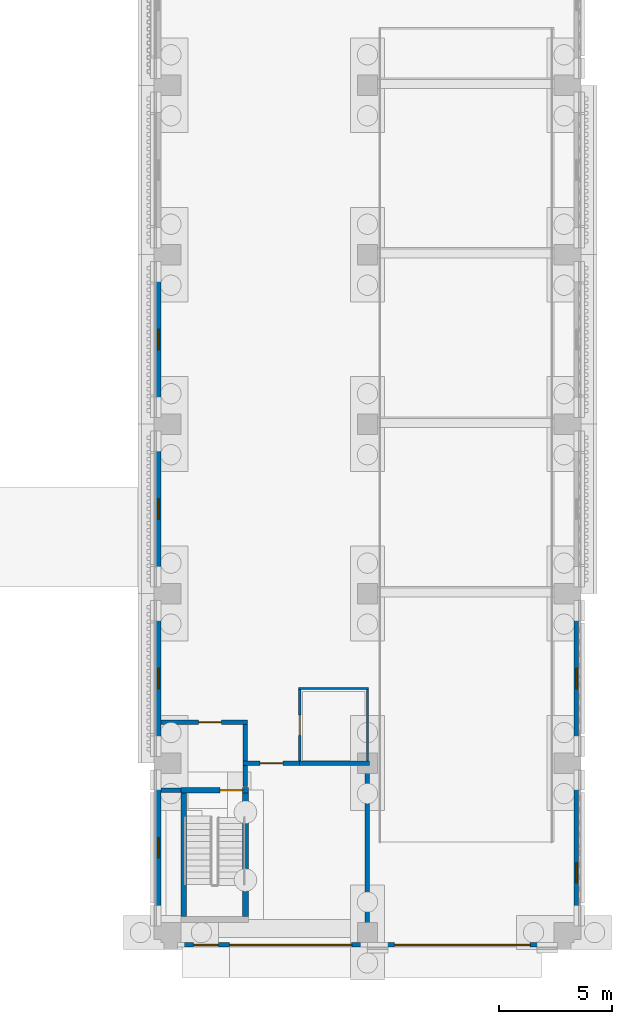
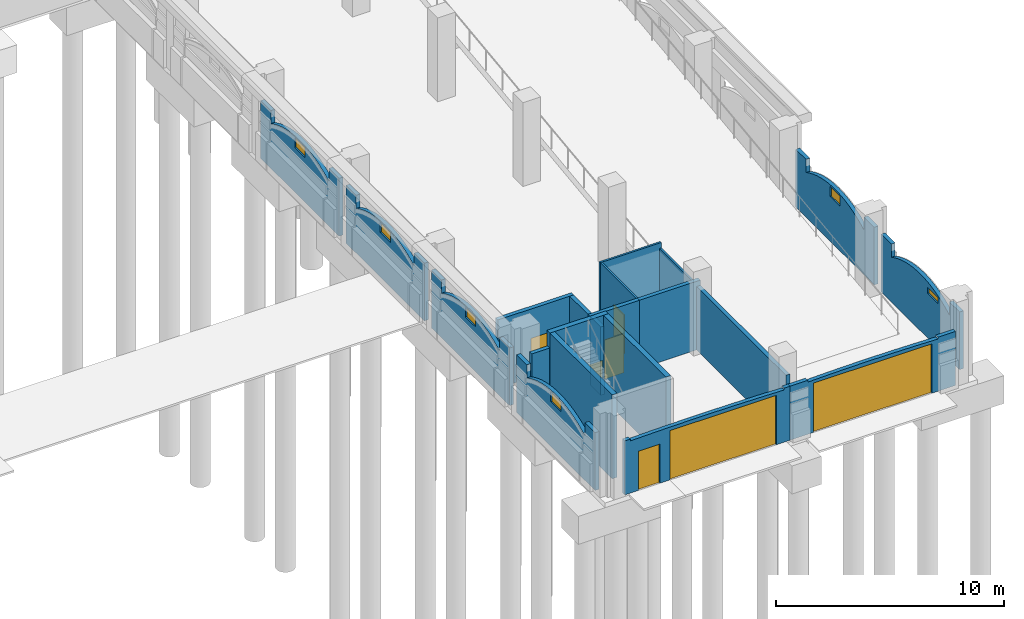
# One storey, part 41 of 99: 21 walls, 7 doors, 6 windows, 13 openings.
"""IFC4 building model written with IfcOpenShell, lengths in metres."""

from ifc_helpers import new_model, si_unit, direction, frame, frame_2d, origin, place, context, subcontext, project, spatial, polyline, rectangle, outline, extrude, material, layer, layer_set, type_object, element, fill, save


model = new_model("IFC4")

# Units and contexts
model_context = context("Model", 3, precision=1e-05, world=origin(), true_north=direction((0.0, 1.0)))
body_context = subcontext(model_context, "Body", "Model", "MODEL_VIEW")
ifc_project = project(units=[si_unit("LENGTHUNIT", "METRE"), si_unit("AREAUNIT", "SQUARE_METRE"), si_unit("VOLUMEUNIT", "CUBIC_METRE"), si_unit("PLANEANGLEUNIT", "RADIAN"), si_unit("MASSUNIT", "GRAM", prefix="KILO")], contexts=[model_context])

# Site, building, storey
site_placement = place(None, origin())
site = spatial("IfcSite", under=ifc_project, at=site_placement, CompositionType="ELEMENT")
building_placement = place(site_placement, origin())
building = spatial("IfcBuilding", under=site, at=building_placement, Name="Cour d'Honneur Mobility Palace", CompositionType="ELEMENT")
storey_placement = place(building_placement, origin())
storey = spatial("IfcBuildingStorey", under=building, at=storey_placement, Name="L00", CompositionType="ELEMENT", Elevation=0.0)

# Wall, opening, window
ifc_material_1 = material(Name="Concrete C40", Category="concrete")
ifc_layer_1 = layer(ifc_material_1, 0.199951171875)
ifc_layer_set_1 = layer_set([ifc_layer_1], Name="Concrete C40")
wall_type_1 = type_object("IfcWallType", Name="Arch infill panel", PredefinedType="SOLIDWALL", material=ifc_layer_set_1)
wall_1_placement = place(storey_placement, frame((144.35009765625, 29.699951171875, 0.0), z_axis=(0.0, 0.0, 1.0), x_axis=(0.0, -1.0, 0.0)))
wall_1 = element("IfcWall", 1, at=wall_1_placement, inside=storey, type_object=wall_type_1, Name="Arch infill panel IP-28", PredefinedType="SOLIDWALL", context=body_context, shape_type="SweptSolid", body=[
    extrude(outline(polyline([(0.0, 0.0), (6.89990234375, 0.0), (6.89990234375, 3.10009765625), (6.001953125, 3.10009765625), (6.0, 2.39990234375), (5.68115234375, 2.560302734375), (5.362548828125, 2.69482421875), (5.043701171875, 2.805908203125), (4.72509765625, 2.895263671875), (4.40625, 2.96337890625), (4.08740234375, 3.01171875), (3.768798828125, 3.04052734375), (3.449951171875, 3.050048828125), (3.13134765625, 3.04052734375), (2.8125, 3.01171875), (2.49365234375, 2.96337890625), (2.175048828125, 2.895263671875), (1.856201171875, 2.805908203125), (1.53759765625, 2.69482421875), (1.21875, 2.560302734375), (0.89990234375, 2.39990234375), (0.89794921875, 3.10009765625), (0.0, 3.10009765625), (0.0, 0.0)])), frame((0.0, 0.10009765625, 0.0), z_axis=(0.0, -1.0, 0.0), x_axis=(1.0, 0.0, 0.0)), (0.0, 0.0, 1.0), 0.199951171875),
])
opening_1_placement = place(wall_1_placement, frame((3.0, 0.0, 2.39990234375)))
opening_1 = element("IfcOpeningElement", 2, at=opening_1_placement, cuts=wall_1, Name="Opening WH-22", PredefinedType="OPENING", context=body_context, shape_type="SweptSolid", body=[
    extrude(rectangle(XDim=0.89990234375, YDim=0.531005859375, at=frame_2d((0.449951171875, 0.265625))), frame((0.0, 0.10986328125, 0.0), z_axis=(0.0, -1.0, 0.0), x_axis=(1.0, 0.0, 0.0)), (0.0, 0.0, 1.0), 0.219970703125),
])
ifc_material_2 = material(Name="Aluminium frame and glass", Category="aluminium")
window_type_1 = type_object("IfcWindowType", Name="High-level window 531", PartitioningType="SINGLE_PANEL", PredefinedType="WINDOW", material=ifc_material_2)
window_1_placement = place(opening_1_placement, origin())
window_1 = element("IfcWindow", 3, at=window_1_placement, inside=storey, type_object=window_type_1, Name="High-level window 531 WH-22", OverallHeight=0.531005859375, OverallWidth=0.89990234375, PartitioningType="SINGLE_PANEL", PredefinedType="WINDOW", context=body_context, shape_type="SweptSolid", body=[
    extrude(rectangle(XDim=0.89990234375, YDim=0.531005859375, at=frame_2d((0.449951171875, 0.265625))), frame((0.0, 0.030029296875, 0.0), z_axis=(0.0, -1.0, 0.0), x_axis=(1.0, 0.0, 0.0)), (0.0, 0.0, 1.0), 0.06005859375),
])
fill(opening_1, window_1)

wall_2_placement = place(storey_placement, frame((144.35009765625, 22.199951171875, 0.0), z_axis=(0.0, 0.0, 1.0), x_axis=(0.0, -1.0, 0.0)))
wall_2 = element("IfcWall", 4, at=wall_2_placement, inside=storey, type_object=wall_type_1, Name="Arch infill panel IP-29", PredefinedType="SOLIDWALL", context=body_context, shape_type="SweptSolid", body=[
    extrude(outline(polyline([(0.0, 0.0), (6.89990234375, 0.0), (6.89990234375, 3.10009765625), (6.001953125, 3.10009765625), (6.0, 2.39990234375), (5.68115234375, 2.560302734375), (5.362548828125, 2.69482421875), (5.043701171875, 2.805908203125), (4.72509765625, 2.895263671875), (4.40625, 2.96337890625), (4.08740234375, 3.01171875), (3.768798828125, 3.04052734375), (3.449951171875, 3.050048828125), (3.13134765625, 3.04052734375), (2.8125, 3.01171875), (2.49365234375, 2.96337890625), (2.175048828125, 2.895263671875), (1.856201171875, 2.805908203125), (1.53759765625, 2.69482421875), (1.21875, 2.560302734375), (0.89990234375, 2.39990234375), (0.89794921875, 3.10009765625), (0.0, 3.10009765625), (0.0, 0.0)])), frame((0.0, 0.10009765625, 0.0), z_axis=(0.0, -1.0, 0.0), x_axis=(1.0, 0.0, 0.0)), (0.0, 0.0, 1.0), 0.199951171875),
])
opening_2_placement = place(wall_2_placement, frame((3.0, 0.0, 2.39990234375)))
opening_2 = element("IfcOpeningElement", 5, at=opening_2_placement, cuts=wall_2, Name="Opening WH-23", PredefinedType="OPENING", context=body_context, shape_type="SweptSolid", body=[
    extrude(rectangle(XDim=0.89990234375, YDim=0.531005859375, at=frame_2d((0.449951171875, 0.265625))), frame((0.0, 0.10986328125, 0.0), z_axis=(0.0, -1.0, 0.0), x_axis=(1.0, 0.0, 0.0)), (0.0, 0.0, 1.0), 0.219970703125),
])
window_2_placement = place(opening_2_placement, origin())
window_2 = element("IfcWindow", 6, at=window_2_placement, inside=storey, type_object=window_type_1, Name="High-level window 531 WH-23", OverallHeight=0.531005859375, OverallWidth=0.89990234375, PartitioningType="SINGLE_PANEL", PredefinedType="WINDOW", context=body_context, shape_type="SweptSolid", body=[
    extrude(rectangle(XDim=0.89990234375, YDim=0.531005859375, at=frame_2d((0.449951171875, 0.265625))), frame((0.0, 0.030029296875, 0.0), z_axis=(0.0, -1.0, 0.0), x_axis=(1.0, 0.0, 0.0)), (0.0, 0.0, 1.0), 0.06005859375),
])
fill(opening_2, window_2)

wall_3_placement = place(storey_placement, frame((144.35009765625, 14.699951171875, 0.0), z_axis=(0.0, 0.0, 1.0), x_axis=(0.0, -1.0, 0.0)))
wall_3 = element("IfcWall", 7, at=wall_3_placement, inside=storey, type_object=wall_type_1, Name="Arch infill panel IP-30", PredefinedType="SOLIDWALL", context=body_context, shape_type="SweptSolid", body=[
    extrude(outline(polyline([(0.0, 0.0), (6.89990234375, 0.0), (6.89990234375, 3.10009765625), (6.001953125, 3.10009765625), (6.0, 2.39990234375), (5.68115234375, 2.560302734375), (5.362548828125, 2.69482421875), (5.043701171875, 2.805908203125), (4.72509765625, 2.895263671875), (4.40625, 2.96337890625), (4.08740234375, 3.01171875), (3.768798828125, 3.04052734375), (3.449951171875, 3.050048828125), (3.13134765625, 3.04052734375), (2.8125, 3.01171875), (2.49365234375, 2.96337890625), (2.175048828125, 2.895263671875), (1.856201171875, 2.805908203125), (1.53759765625, 2.69482421875), (1.21875, 2.560302734375), (0.89990234375, 2.39990234375), (0.89794921875, 3.10009765625), (0.0, 3.10009765625), (0.0, 0.0)])), frame((0.0, 0.10009765625, 0.0), z_axis=(0.0, -1.0, 0.0), x_axis=(1.0, 0.0, 0.0)), (0.0, 0.0, 1.0), 0.199951171875),
])
opening_3_placement = place(wall_3_placement, frame((3.0, 0.0, 2.39990234375)))
opening_3 = element("IfcOpeningElement", 8, at=opening_3_placement, cuts=wall_3, Name="Opening WH-24", PredefinedType="OPENING", context=body_context, shape_type="SweptSolid", body=[
    extrude(rectangle(XDim=0.89990234375, YDim=0.531005859375, at=frame_2d((0.449951171875, 0.265625))), frame((0.0, 0.10986328125, 0.0), z_axis=(0.0, -1.0, 0.0), x_axis=(1.0, 0.0, 0.0)), (0.0, 0.0, 1.0), 0.219970703125),
])
window_3_placement = place(opening_3_placement, origin())
window_3 = element("IfcWindow", 9, at=window_3_placement, inside=storey, type_object=window_type_1, Name="High-level window 531 WH-24", OverallHeight=0.531005859375, OverallWidth=0.89990234375, PartitioningType="SINGLE_PANEL", PredefinedType="WINDOW", context=body_context, shape_type="SweptSolid", body=[
    extrude(rectangle(XDim=0.89990234375, YDim=0.531005859375, at=frame_2d((0.449951171875, 0.265625))), frame((0.0, 0.030029296875, 0.0), z_axis=(0.0, -1.0, 0.0), x_axis=(1.0, 0.0, 0.0)), (0.0, 0.0, 1.0), 0.06005859375),
])
fill(opening_3, window_3)

wall_4_placement = place(storey_placement, frame((144.35009765625, 7.199951171875, 0.0), z_axis=(0.0, 0.0, 1.0), x_axis=(0.0, -1.0, 0.0)))
wall_4 = element("IfcWall", 10, at=wall_4_placement, inside=storey, type_object=wall_type_1, Name="Arch infill panel IP-31", PredefinedType="SOLIDWALL", context=body_context, shape_type="SweptSolid", body=[
    extrude(outline(polyline([(0.0, 0.0), (6.89990234375, 0.0), (6.89990234375, 3.10009765625), (6.001953125, 3.10009765625), (6.0, 2.39990234375), (5.68115234375, 2.560302734375), (5.362548828125, 2.69482421875), (5.043701171875, 2.805908203125), (4.72509765625, 2.895263671875), (4.40625, 2.96337890625), (4.08740234375, 3.01171875), (3.768798828125, 3.04052734375), (3.449951171875, 3.050048828125), (3.13134765625, 3.04052734375), (2.8125, 3.01171875), (2.49365234375, 2.96337890625), (2.175048828125, 2.895263671875), (1.856201171875, 2.805908203125), (1.53759765625, 2.69482421875), (1.21875, 2.560302734375), (0.89990234375, 2.39990234375), (0.89794921875, 3.10009765625), (0.0, 3.10009765625), (0.0, 0.0)])), frame((0.0, 0.10009765625, 0.0), z_axis=(0.0, -1.0, 0.0), x_axis=(1.0, 0.0, 0.0)), (0.0, 0.0, 1.0), 0.199951171875),
])
opening_4_placement = place(wall_4_placement, frame((3.0, 0.0, 2.39990234375)))
opening_4 = element("IfcOpeningElement", 11, at=opening_4_placement, cuts=wall_4, Name="Opening WH-25", PredefinedType="OPENING", context=body_context, shape_type="SweptSolid", body=[
    extrude(rectangle(XDim=0.89990234375, YDim=0.531005859375, at=frame_2d((0.449951171875, 0.265625))), frame((0.0, 0.10986328125, 0.0), z_axis=(0.0, -1.0, 0.0), x_axis=(1.0, 0.0, 0.0)), (0.0, 0.0, 1.0), 0.219970703125),
])
window_4_placement = place(opening_4_placement, origin())
window_4 = element("IfcWindow", 12, at=window_4_placement, inside=storey, type_object=window_type_1, Name="High-level window 531 WH-25", OverallHeight=0.531005859375, OverallWidth=0.89990234375, PartitioningType="SINGLE_PANEL", PredefinedType="WINDOW", context=body_context, shape_type="SweptSolid", body=[
    extrude(rectangle(XDim=0.89990234375, YDim=0.531005859375, at=frame_2d((0.449951171875, 0.265625))), frame((0.0, 0.030029296875, 0.0), z_axis=(0.0, -1.0, 0.0), x_axis=(1.0, 0.0, 0.0)), (0.0, 0.0, 1.0), 0.06005859375),
])
fill(opening_4, window_4)

# Wall, openings, doors
wall_5_placement = place(storey_placement, frame((145.199951171875, -0.550048828125, 0.0), z_axis=(0.0, 0.0, 1.0), x_axis=(1.0, 0.0, 0.0)))
wall_5 = element("IfcWall", 13, at=wall_5_placement, inside=storey, type_object=wall_type_1, Name="Arch infill panel IP-32", PredefinedType="SOLIDWALL", context=body_context, shape_type="SweptSolid", body=[
    extrude(outline(polyline([(0.0, 0.0), (8.400146484375, 0.0), (8.39990234375, 2.89990234375), (8.10205078125, 2.89990234375), (8.10009765625, 2.800048828125), (7.612548828125, 2.811767578125), (7.125, 2.82177734375), (6.637451171875, 2.83056640625), (6.14990234375, 2.83740234375), (5.66259765625, 2.843017578125), (5.175048828125, 2.846923828125), (4.6875, 2.84912109375), (4.199951171875, 2.85009765625), (3.71240234375, 2.84912109375), (3.22509765625, 2.846923828125), (2.737548828125, 2.843017578125), (2.25, 2.83740234375), (1.762451171875, 2.83056640625), (1.27490234375, 2.82177734375), (0.78759765625, 2.811767578125), (0.300048828125, 2.800048828125), (0.298095703125, 2.89990234375), (0.0, 2.89990234375), (0.0, 0.0)])), frame((0.0, 0.10009765625, 0.0), z_axis=(0.0, -1.0, 0.0), x_axis=(1.0, 0.0, 0.0)), (0.0, 0.0, 1.0), 0.199951171875),
])
opening_5_placement = place(wall_5_placement, frame((2.300048828125, 0.0, 0.0)))
opening_5 = element("IfcOpeningElement", 14, at=opening_5_placement, cuts=wall_5, Name="Opening G2-2", PredefinedType="OPENING", context=body_context, shape_type="SweptSolid", body=[
    extrude(rectangle(XDim=5.39990234375, YDim=2.64990234375, at=frame_2d((2.699951171875, 1.324951171875))), frame((0.0, 0.10986328125, 0.0), z_axis=(0.0, -1.0, 0.0), x_axis=(1.0, 0.0, 0.0)), (0.0, 0.0, 1.0), 0.219970703125),
])
opening_6_placement = place(wall_5_placement, frame((0.699951171875, 0.0, 0.0)))
opening_6 = element("IfcOpeningElement", 15, at=opening_6_placement, cuts=wall_5, Name="Opening D3-5", PredefinedType="OPENING", context=body_context, shape_type="SweptSolid", body=[
    extrude(rectangle(XDim=1.10009765625, YDim=2.10009765625, at=frame_2d((0.550048828125, 1.050048828125))), frame((0.0, 0.10986328125, 0.0), z_axis=(0.0, -1.0, 0.0), x_axis=(1.0, 0.0, 0.0)), (0.0, 0.0, 1.0), 0.219970703125),
])
ifc_material_3 = material(Name="Painted steel", Category="steel")
door_type_1 = type_object("IfcDoorType", Name="Exit door 1100", OperationType="SINGLE_SWING_LEFT", PredefinedType="DOOR", material=ifc_material_3)
door_1_placement = place(opening_6_placement, frame((1.10009765625, 0.0, 0.0), z_axis=(0.0, 0.0, 1.0), x_axis=(-1.0, 0.0, 0.0)))
door_1 = element("IfcDoor", 16, at=door_1_placement, inside=storey, type_object=door_type_1, Name="Exit door 1100 D3-5", OperationType="SINGLE_SWING_LEFT", OverallHeight=2.10009765625, OverallWidth=1.10009765625, PredefinedType="DOOR", context=body_context, shape_type="SweptSolid", body=[
    extrude(rectangle(XDim=1.10009765625, YDim=2.10009765625, at=frame_2d((0.550048828125, 1.050048828125))), frame((0.0, 0.02490234375, 0.0), z_axis=(0.0, -1.0, 0.0), x_axis=(1.0, 0.0, 0.0)), (0.0, 0.0, 1.0), 0.050048828125),
])
fill(opening_6, door_1)
ifc_material_4 = material(Name="Galvanised steel", Category="steel")
door_type_2 = type_object("IfcDoorType", Name="Vehicle gate 5400", OperationType="ROLLINGUP", PredefinedType="GATE", material=ifc_material_4)
door_2_placement = place(opening_5_placement, frame((5.39990234375, 0.0, 0.0), z_axis=(0.0, 0.0, 1.0), x_axis=(-1.0, 0.0, 0.0)))
door_2 = element("IfcDoor", 17, at=door_2_placement, inside=storey, type_object=door_type_2, Name="Vehicle gate 5400 G2-2", OperationType="SINGLE_SWING_LEFT", OverallHeight=2.64990234375, OverallWidth=5.39990234375, PredefinedType="GATE", context=body_context, shape_type="SweptSolid", body=[
    extrude(rectangle(XDim=5.39990234375, YDim=2.64990234375, at=frame_2d((2.699951171875, 1.324951171875))), frame((0.0, 0.02490234375, 0.0), z_axis=(0.0, -1.0, 0.0), x_axis=(1.0, 0.0, 0.0)), (0.0, 0.0, 1.0), 0.050048828125),
])
fill(opening_5, door_2)

# Wall, opening, door
wall_6_placement = place(storey_placement, frame((153.60009765625, -0.550048828125, 0.0), z_axis=(0.0, 0.0, 1.0), x_axis=(1.0, 0.0, 0.0)))
wall_6 = element("IfcWall", 18, at=wall_6_placement, inside=storey, type_object=wall_type_1, Name="Arch infill panel IP-33", PredefinedType="SOLIDWALL", context=body_context, shape_type="SweptSolid", body=[
    extrude(outline(polyline([(0.0, 0.0), (8.39990234375, 0.0), (8.39990234375, 2.89990234375), (7.501953125, 2.89990234375), (7.5, 2.800048828125), (7.08740234375, 2.811767578125), (6.675048828125, 2.82177734375), (6.262451171875, 2.83056640625), (5.85009765625, 2.83740234375), (5.4375, 2.843017578125), (5.02490234375, 2.846923828125), (4.612548828125, 2.84912109375), (4.199951171875, 2.85009765625), (3.78759765625, 2.84912109375), (3.375, 2.846923828125), (2.96240234375, 2.843017578125), (2.550048828125, 2.83740234375), (2.137451171875, 2.83056640625), (1.72509765625, 2.82177734375), (1.3125, 2.811767578125), (0.89990234375, 2.800048828125), (0.89794921875, 2.89990234375), (0.0, 2.89990234375), (0.0, 0.0)])), frame((0.0, 0.10009765625, 0.0), z_axis=(0.0, -1.0, 0.0), x_axis=(1.0, 0.0, 0.0)), (0.0, 0.0, 1.0), 0.199951171875),
])
opening_7_placement = place(wall_6_placement, frame((1.199951171875, 0.0, 0.0)))
opening_7 = element("IfcOpeningElement", 19, at=opening_7_placement, cuts=wall_6, Name="Opening G1-2", PredefinedType="OPENING", context=body_context, shape_type="SweptSolid", body=[
    extrude(rectangle(XDim=6.0, YDim=2.64990234375, at=frame_2d((3.0, 1.324951171875))), frame((0.0, 0.10986328125, 0.0), z_axis=(0.0, -1.0, 0.0), x_axis=(1.0, 0.0, 0.0)), (0.0, 0.0, 1.0), 0.219970703125),
])
ifc_material_5 = material(Name="Galvanised steel", Category="steel")
door_type_3 = type_object("IfcDoorType", Name="Vehicle gate 6000", OperationType="ROLLINGUP", PredefinedType="GATE", material=ifc_material_5)
door_3_placement = place(opening_7_placement, frame((6.0, 0.0, 0.0), z_axis=(0.0, 0.0, 1.0), x_axis=(-1.0, 0.0, 0.0)))
door_3 = element("IfcDoor", 20, at=door_3_placement, inside=storey, type_object=door_type_3, Name="Vehicle gate 6000 G1-2", OperationType="SINGLE_SWING_LEFT", OverallHeight=2.64990234375, OverallWidth=6.0, PredefinedType="GATE", context=body_context, shape_type="SweptSolid", body=[
    extrude(rectangle(XDim=6.0, YDim=2.64990234375, at=frame_2d((3.0, 1.324951171875))), frame((0.0, 0.02490234375, 0.0), z_axis=(0.0, -1.0, 0.0), x_axis=(1.0, 0.0, 0.0)), (0.0, 0.0, 1.0), 0.050048828125),
])
fill(opening_7, door_3)

# Wall, opening, window
wall_7_placement = place(storey_placement, frame((162.85009765625, 0.300048828125, 0.0), z_axis=(0.0, 0.0, 1.0), x_axis=(0.0, 1.0, 0.0)))
wall_7 = element("IfcWall", 21, at=wall_7_placement, inside=storey, type_object=wall_type_1, Name="Arch infill panel IP-34", PredefinedType="SOLIDWALL", context=body_context, shape_type="SweptSolid", body=[
    extrude(outline(polyline([(0.0, 0.0), (6.89990234375, 0.0), (6.89990234375, 3.10009765625), (6.001953125, 3.10009765625), (6.0, 2.39990234375), (5.68115234375, 2.560302734375), (5.362548828125, 2.69482421875), (5.043701171875, 2.805908203125), (4.72509765625, 2.895263671875), (4.40625, 2.96337890625), (4.08740234375, 3.01171875), (3.768798828125, 3.04052734375), (3.449951171875, 3.050048828125), (3.13134765625, 3.04052734375), (2.8125, 3.01171875), (2.49365234375, 2.96337890625), (2.175048828125, 2.895263671875), (1.856201171875, 2.805908203125), (1.53759765625, 2.69482421875), (1.21875, 2.560302734375), (0.89990234375, 2.39990234375), (0.89794921875, 3.10009765625), (0.0, 3.10009765625), (0.0, 0.0)])), frame((0.0, 0.10009765625, 0.0), z_axis=(0.0, -1.0, 0.0), x_axis=(1.0, 0.0, 0.0)), (0.0, 0.0, 1.0), 0.199951171875),
])
opening_8_placement = place(wall_7_placement, frame((1.89990234375, 0.0, 2.39990234375)))
opening_8 = element("IfcOpeningElement", 22, at=opening_8_placement, cuts=wall_7, Name="Opening WH-26", PredefinedType="OPENING", context=body_context, shape_type="SweptSolid", body=[
    extrude(rectangle(XDim=0.89990234375, YDim=0.319580078125, at=frame_2d((0.449951171875, 0.15966796875))), frame((0.0, 0.10986328125, 0.0), z_axis=(0.0, -1.0, 0.0), x_axis=(1.0, 0.0, 0.0)), (0.0, 0.0, 1.0), 0.219970703125),
])
ifc_material_6 = material(Name="Aluminium frame and glass", Category="aluminium")
window_type_2 = type_object("IfcWindowType", Name="High-level window 320", PartitioningType="SINGLE_PANEL", PredefinedType="WINDOW", material=ifc_material_6)
window_5_placement = place(opening_8_placement, origin())
window_5 = element("IfcWindow", 23, at=window_5_placement, inside=storey, type_object=window_type_2, Name="High-level window 320 WH-26", OverallHeight=0.319580078125, OverallWidth=0.89990234375, PartitioningType="SINGLE_PANEL", PredefinedType="WINDOW", context=body_context, shape_type="SweptSolid", body=[
    extrude(rectangle(XDim=0.89990234375, YDim=0.319580078125, at=frame_2d((0.449951171875, 0.15966796875))), frame((0.0, 0.030029296875, 0.0), z_axis=(0.0, -1.0, 0.0), x_axis=(1.0, 0.0, 0.0)), (0.0, 0.0, 1.0), 0.06005859375),
])
fill(opening_8, window_5)

wall_8_placement = place(storey_placement, frame((162.85009765625, 7.800048828125, 0.0), z_axis=(0.0, 0.0, 1.0), x_axis=(0.0, 1.0, 0.0)))
wall_8 = element("IfcWall", 24, at=wall_8_placement, inside=storey, type_object=wall_type_1, Name="Arch infill panel IP-35", PredefinedType="SOLIDWALL", context=body_context, shape_type="SweptSolid", body=[
    extrude(outline(polyline([(0.0, 0.0), (6.89990234375, 0.0), (6.89990234375, 3.10009765625), (6.001953125, 3.10009765625), (6.0, 2.39990234375), (5.68115234375, 2.560302734375), (5.362548828125, 2.69482421875), (5.043701171875, 2.805908203125), (4.72509765625, 2.895263671875), (4.40625, 2.96337890625), (4.08740234375, 3.01171875), (3.768798828125, 3.04052734375), (3.449951171875, 3.050048828125), (3.13134765625, 3.04052734375), (2.8125, 3.01171875), (2.49365234375, 2.96337890625), (2.175048828125, 2.895263671875), (1.856201171875, 2.805908203125), (1.53759765625, 2.69482421875), (1.21875, 2.560302734375), (0.89990234375, 2.39990234375), (0.89794921875, 3.10009765625), (0.0, 3.10009765625), (0.0, 0.0)])), frame((0.0, 0.10009765625, 0.0), z_axis=(0.0, -1.0, 0.0), x_axis=(1.0, 0.0, 0.0)), (0.0, 0.0, 1.0), 0.199951171875),
])
opening_9_placement = place(wall_8_placement, frame((3.0, 0.0, 2.39990234375)))
opening_9 = element("IfcOpeningElement", 25, at=opening_9_placement, cuts=wall_8, Name="Opening WH-27", PredefinedType="OPENING", context=body_context, shape_type="SweptSolid", body=[
    extrude(rectangle(XDim=0.89990234375, YDim=0.531005859375, at=frame_2d((0.449951171875, 0.265625))), frame((0.0, 0.10986328125, 0.0), z_axis=(0.0, -1.0, 0.0), x_axis=(1.0, 0.0, 0.0)), (0.0, 0.0, 1.0), 0.219970703125),
])
window_6_placement = place(opening_9_placement, origin())
window_6 = element("IfcWindow", 26, at=window_6_placement, inside=storey, type_object=window_type_1, Name="High-level window 531 WH-27", OverallHeight=0.531005859375, OverallWidth=0.89990234375, PartitioningType="SINGLE_PANEL", PredefinedType="WINDOW", context=body_context, shape_type="SweptSolid", body=[
    extrude(rectangle(XDim=0.89990234375, YDim=0.531005859375, at=frame_2d((0.449951171875, 0.265625))), frame((0.0, 0.030029296875, 0.0), z_axis=(0.0, -1.0, 0.0), x_axis=(1.0, 0.0, 0.0)), (0.0, 0.0, 1.0), 0.06005859375),
])
fill(opening_9, window_6)

# Wall, opening, door
ifc_material_7 = material(Name="Gypsum plasterboard")
ifc_layer_2 = layer(ifc_material_7, 0.10009765625)
ifc_layer_set_2 = layer_set([ifc_layer_2], Name="Gypsum plasterboard")
wall_type_2 = type_object("IfcWallType", Name="Partition 100", PredefinedType="PARTITIONING", material=ifc_layer_set_2)
wall_9_placement = place(storey_placement, frame((150.60009765625, 10.75, 0.0), z_axis=(0.0, 0.0, 1.0), x_axis=(0.0, -1.0, 0.0)))
wall_9 = element("IfcWall", 27, at=wall_9_placement, inside=storey, type_object=wall_type_2, Name="Partition 021", PredefinedType="PARTITIONING", context=body_context, shape_type="SweptSolid", body=[
    extrude(rectangle(XDim=3.14990234375, YDim=0.10009765625, at=frame_2d((1.574951171875, 0.0))), origin(), (0.0, 0.0, 1.0), 3.679931640625),
])
opening_10_placement = place(wall_9_placement, frame((1.125, 0.0, 0.0)))
opening_10 = element("IfcOpeningElement", 28, at=opening_10_placement, cuts=wall_9, Name="Opening D0008", PredefinedType="OPENING", context=body_context, shape_type="SweptSolid", body=[
    extrude(rectangle(XDim=0.89990234375, YDim=2.10009765625, at=frame_2d((0.449951171875, 1.050048828125))), frame((0.0, 0.06005859375, 0.0), z_axis=(0.0, -1.0, 0.0), x_axis=(1.0, 0.0, 0.0)), (0.0, 0.0, 1.0), 0.1201171875),
])
ifc_material_8 = material(Name="Solid timber", Category="wood")
door_type_4 = type_object("IfcDoorType", Name="Single door 900 x 2100", OperationType="SINGLE_SWING_LEFT", PredefinedType="DOOR", material=ifc_material_8)
door_4_placement = place(opening_10_placement, origin())
door_4 = element("IfcDoor", 29, at=door_4_placement, inside=storey, type_object=door_type_4, Name="Door Cashier Kiosk East", OperationType="SINGLE_SWING_RIGHT", OverallHeight=2.10009765625, OverallWidth=0.89990234375, PredefinedType="DOOR", context=body_context, shape_type="SweptSolid", body=[
    extrude(rectangle(XDim=0.89990234375, YDim=2.10009765625, at=frame_2d((0.449951171875, 1.050048828125))), frame((0.0, 0.02490234375, 0.0), z_axis=(0.0, -1.0, 0.0), x_axis=(1.0, 0.0, 0.0)), (0.0, 0.0, 1.0), 0.050048828125),
])
fill(opening_10, door_4)

# Walls
wall_10_placement = place(storey_placement, frame((153.64990234375, 10.800048828125, 0.0), z_axis=(0.0, 0.0, 1.0), x_axis=(-1.0, 0.0, 0.0)))
element("IfcWall", 30, at=wall_10_placement, inside=storey, type_object=wall_type_2, Name="Partition 022", PredefinedType="PARTITIONING", context=body_context, shape_type="SweptSolid", body=[
    extrude(rectangle(XDim=3.099853515625, YDim=0.10009765625, at=frame_2d((1.5498046875, 0.0))), origin(), (0.0, 0.0, 1.0), 3.679931640625),
])
ifc_material_9 = material(Name="Gypsum plasterboard")
ifc_layer_3 = layer(ifc_material_9, 0.10009765625)
ifc_layer_set_3 = layer_set([ifc_layer_3], Name="Gypsum plasterboard")
wall_type_3 = type_object("IfcWallType", Name="Partition 100 under beam 1100", PredefinedType="PARTITIONING", material=ifc_layer_set_3)
wall_11_placement = place(storey_placement, frame((153.60009765625, 7.60009765625, 0.0), z_axis=(0.0, 0.0, 1.0), x_axis=(0.0, 1.0, 0.0)))
element("IfcWall", 31, at=wall_11_placement, inside=storey, type_object=wall_type_3, Name="Partition 015", PredefinedType="PARTITIONING", context=body_context, shape_type="SweptSolid", body=[
    extrude(rectangle(XDim=3.14990234375, YDim=0.10009765625, at=frame_2d((1.574951171875, 0.0))), origin(), (0.0, 0.0, 1.0), 3.39990234375),
])
ifc_material_10 = material(Name="Gypsum plasterboard")
ifc_layer_4 = layer(ifc_material_10, 0.199951171875)
ifc_layer_set_4 = layer_set([ifc_layer_4], Name="Gypsum plasterboard")
wall_type_4 = type_object("IfcWallType", Name="Partition 200 rated EI 120", PredefinedType="PARTITIONING", material=ifc_layer_set_4)
wall_12_placement = place(storey_placement, frame((144.449951171875, 6.300048828125, 0.0), z_axis=(0.0, 0.0, 1.0), x_axis=(1.0, 0.0, 0.0)))
element("IfcWall", 32, at=wall_12_placement, inside=storey, type_object=wall_type_4, Name="Partition 005", PredefinedType="PARTITIONING", context=body_context, shape_type="SweptSolid", body=[
    extrude(rectangle(XDim=0.900146484375, YDim=0.199951171875, at=frame_2d((0.4501953125, 0.0))), origin(), (0.0, 0.0, 1.0), 3.679931640625),
])
wall_13_placement = place(storey_placement, frame((148.199951171875, 6.47509765625, 0.0), z_axis=(0.0, 0.0, 1.0), x_axis=(0.0, 1.0, 0.0)))
element("IfcWall", 33, at=wall_13_placement, inside=storey, type_object=wall_type_4, Name="Partition 006", PredefinedType="PARTITIONING", context=body_context, shape_type="SweptSolid", body=[
    extrude(rectangle(XDim=0.9248046875, YDim=0.199951171875, at=frame_2d((0.46240234375, 0.0))), origin(), (0.0, 0.0, 1.0), 3.679931640625),
])
wall_14_placement = place(storey_placement, frame((148.199951171875, 7.60009765625, 0.0), z_axis=(0.0, 0.0, 1.0), x_axis=(0.0, 1.0, 0.0)))
element("IfcWall", 34, at=wall_14_placement, inside=storey, type_object=wall_type_4, Name="Partition 012", PredefinedType="PARTITIONING", context=body_context, shape_type="SweptSolid", body=[
    extrude(rectangle(XDim=1.599853515625, YDim=0.199951171875, at=frame_2d((0.7998046875, 0.0))), origin(), (0.0, 0.0, 1.0), 3.679931640625),
])

# Wall, opening, door
wall_15_placement = place(storey_placement, frame((150.60009765625, 7.5, 0.0), z_axis=(0.0, 0.0, 1.0), x_axis=(-1.0, 0.0, 0.0)))
wall_15 = element("IfcWall", 35, at=wall_15_placement, inside=storey, type_object=wall_type_4, Name="Partition 013", PredefinedType="PARTITIONING", context=body_context, shape_type="SweptSolid", body=[
    extrude(rectangle(XDim=2.5, YDim=0.199951171875, at=frame_2d((1.25, 0.0))), origin(), (0.0, 0.0, 1.0), 3.679931640625),
])
opening_11_placement = place(wall_15_placement, frame((0.75, 0.0, 0.0)))
opening_11 = element("IfcOpeningElement", 36, at=opening_11_placement, cuts=wall_15, Name="Opening D0010", PredefinedType="OPENING", context=body_context, shape_type="SweptSolid", body=[
    extrude(rectangle(XDim=1.0, YDim=2.10009765625, at=frame_2d((0.5, 1.050048828125))), frame((0.0, 0.10986328125, 0.0), z_axis=(0.0, -1.0, 0.0), x_axis=(1.0, 0.0, 0.0)), (0.0, 0.0, 1.0), 0.219970703125),
])
ifc_material_11 = material(Name="Galvanised steel", Category="steel")
door_type_5 = type_object("IfcDoorType", Name="Fire door FD120 1000 x 2100", OperationType="SINGLE_SWING_LEFT", PredefinedType="DOOR", material=ifc_material_11)
door_5_placement = place(opening_11_placement, origin())
door_5 = element("IfcDoor", 37, at=door_5_placement, inside=storey, type_object=door_type_5, Name="Door Plant Room South East", OperationType="SINGLE_SWING_LEFT", OverallHeight=2.10009765625, OverallWidth=1.0, PredefinedType="DOOR", context=body_context, shape_type="SweptSolid", body=[
    extrude(rectangle(XDim=1.0, YDim=2.10009765625, at=frame_2d((0.5, 1.050048828125))), frame((0.0, 0.02490234375, 0.0), z_axis=(0.0, -1.0, 0.0), x_axis=(1.0, 0.0, 0.0)), (0.0, 0.0, 1.0), 0.050048828125),
])
fill(opening_11, door_5)

# Wall
wall_16_placement = place(storey_placement, frame((150.60009765625, 7.5, 0.0), z_axis=(0.0, 0.0, 1.0), x_axis=(1.0, 0.0, 0.0)))
element("IfcWall", 38, at=wall_16_placement, inside=storey, type_object=wall_type_4, Name="Partition 014", PredefinedType="PARTITIONING", context=body_context, shape_type="SweptSolid", body=[
    extrude(rectangle(XDim=3.099853515625, YDim=0.199951171875, at=frame_2d((1.5498046875, 0.0))), origin(), (0.0, 0.0, 1.0), 3.679931640625),
])

# Wall, opening, door
wall_17_placement = place(storey_placement, frame((148.300048828125, 9.300048828125, 0.0), z_axis=(0.0, 0.0, 1.0), x_axis=(-1.0, 0.0, 0.0)))
wall_17 = element("IfcWall", 39, at=wall_17_placement, inside=storey, type_object=wall_type_4, Name="Partition 018", PredefinedType="PARTITIONING", context=body_context, shape_type="SweptSolid", body=[
    extrude(rectangle(XDim=3.85009765625, YDim=0.199951171875, at=frame_2d((1.925048828125, 0.0))), origin(), (0.0, 0.0, 1.0), 3.679931640625),
])
opening_12_placement = place(wall_17_placement, frame((1.169921875, 0.0, 0.0)))
opening_12 = element("IfcOpeningElement", 40, at=opening_12_placement, cuts=wall_17, Name="Opening D0050", PredefinedType="OPENING", context=body_context, shape_type="SweptSolid", body=[
    extrude(rectangle(XDim=1.0, YDim=2.10009765625, at=frame_2d((0.5, 1.050048828125))), frame((0.0, 0.10986328125, 0.0), z_axis=(0.0, -1.0, 0.0), x_axis=(1.0, 0.0, 0.0)), (0.0, 0.0, 1.0), 0.219970703125),
])
door_6_placement = place(opening_12_placement, origin())
door_6 = element("IfcDoor", 41, at=door_6_placement, inside=storey, type_object=door_type_5, Name="Door Stair Lobby RE", OperationType="SINGLE_SWING_RIGHT", OverallHeight=2.10009765625, OverallWidth=1.0, PredefinedType="DOOR", context=body_context, shape_type="SweptSolid", body=[
    extrude(rectangle(XDim=1.0, YDim=2.10009765625, at=frame_2d((0.5, 1.050048828125))), frame((0.0, 0.02490234375, 0.0), z_axis=(0.0, -1.0, 0.0), x_axis=(1.0, 0.0, 0.0)), (0.0, 0.0, 1.0), 0.050048828125),
])
fill(opening_12, door_6)

# Wall
ifc_material_12 = material(Name="Gypsum plasterboard")
ifc_layer_5 = layer(ifc_material_12, 0.199951171875)
ifc_layer_set_5 = layer_set([ifc_layer_5], Name="Gypsum plasterboard")
wall_type_5 = type_object("IfcWallType", Name="Partition 200 rated EI 120 under beam 1100", PredefinedType="PARTITIONING", material=ifc_layer_set_5)
wall_18_placement = place(storey_placement, frame((153.60009765625, -0.449951171875, 0.0), z_axis=(0.0, 0.0, 1.0), x_axis=(0.0, 1.0, 0.0)))
element("IfcWall", 42, at=wall_18_placement, inside=storey, type_object=wall_type_5, Name="Partition 002", PredefinedType="PARTITIONING", context=body_context, shape_type="SweptSolid", body=[
    extrude(rectangle(XDim=7.849853515625, YDim=0.199951171875, at=frame_2d((3.9248046875, 0.0))), origin(), (0.0, 0.0, 1.0), 3.39990234375),
])

# Wall, opening, door
ifc_material_13 = material(Name="Concrete C50", Category="concrete")
ifc_layer_6 = layer(ifc_material_13, 0.25)
ifc_layer_set_6 = layer_set([ifc_layer_6], Name="Concrete C50")
wall_type_6 = type_object("IfcWallType", Name="Stair wall 250", PredefinedType="SHEAR", material=ifc_layer_set_6)
wall_19_placement = place(storey_placement, frame((145.35009765625, 6.300048828125, 0.0), z_axis=(0.0, 0.0, 1.0), x_axis=(1.0, 0.0, 0.0)))
wall_19 = element("IfcWall", 43, at=wall_19_placement, inside=storey, type_object=wall_type_6, Name="Stair wall WS-RE2 L00", PredefinedType="SHEAR", context=body_context, shape_type="SweptSolid", body=[
    extrude(rectangle(XDim=2.974853515625, YDim=0.25, at=frame_2d((1.4873046875, 0.0))), origin(), (0.0, 0.0, 1.0), 4.5),
])
opening_13_placement = place(wall_19_placement, frame((1.72509765625, 0.0, 0.0)))
opening_13 = element("IfcOpeningElement", 44, at=opening_13_placement, cuts=wall_19, Name="Opening S119", PredefinedType="OPENING", context=body_context, shape_type="SweptSolid", body=[
    extrude(rectangle(XDim=1.0, YDim=2.10009765625, at=frame_2d((0.5, 1.050048828125))), frame((0.0, 0.135009765625, 0.0), z_axis=(0.0, -1.0, 0.0), x_axis=(1.0, 0.0, 0.0)), (0.0, 0.0, 1.0), 0.27001953125),
])
ifc_material_14 = material(Name="Galvanised steel", Category="steel")
door_type_6 = type_object("IfcDoorType", Name="Fire door FD120 stair 1000 x 2100", OperationType="SINGLE_SWING_LEFT", PredefinedType="DOOR", material=ifc_material_14)
door_7_placement = place(opening_13_placement, origin())
door_7 = element("IfcDoor", 45, at=door_7_placement, inside=storey, type_object=door_type_6, Name="Stair door ST-RE1 L00", OperationType="SINGLE_SWING_RIGHT", OverallHeight=2.10009765625, OverallWidth=1.0, PredefinedType="DOOR", context=body_context, shape_type="SweptSolid", body=[
    extrude(rectangle(XDim=1.0, YDim=2.10009765625, at=frame_2d((0.5, 1.050048828125))), frame((0.0, 0.02490234375, 0.0), z_axis=(0.0, -1.0, 0.0), x_axis=(1.0, 0.0, 0.0)), (0.0, 0.0, 1.0), 0.050048828125),
])
fill(opening_13, door_7)

# Walls
for number, where, z_axis, x_axis, name in (
    (46, (145.47509765625, 0.699951171875, 0.0), (0.0, 0.0, 1.0), (0.0, 1.0, 0.0), "Stair wall WS-RE3 L00"),
    (47, (148.199951171875, 0.699951171875, 0.0), (0.0, 0.0, 1.0), (0.0, 1.0, 0.0), "Stair wall WS-RE4 L00"),
):
    element("IfcWall", number, at=place(storey_placement, frame(where, z_axis=z_axis, x_axis=x_axis)), inside=storey, type_object=wall_type_6, Name=name, PredefinedType="SHEAR", context=body_context, shape_type="SweptSolid", body=[
        extrude(rectangle(XDim=5.47509765625, YDim=0.25, at=frame_2d((2.737548828125, 0.0))), origin(), (0.0, 0.0, 1.0), 4.5),
    ])

save(model, "model.ifc")
